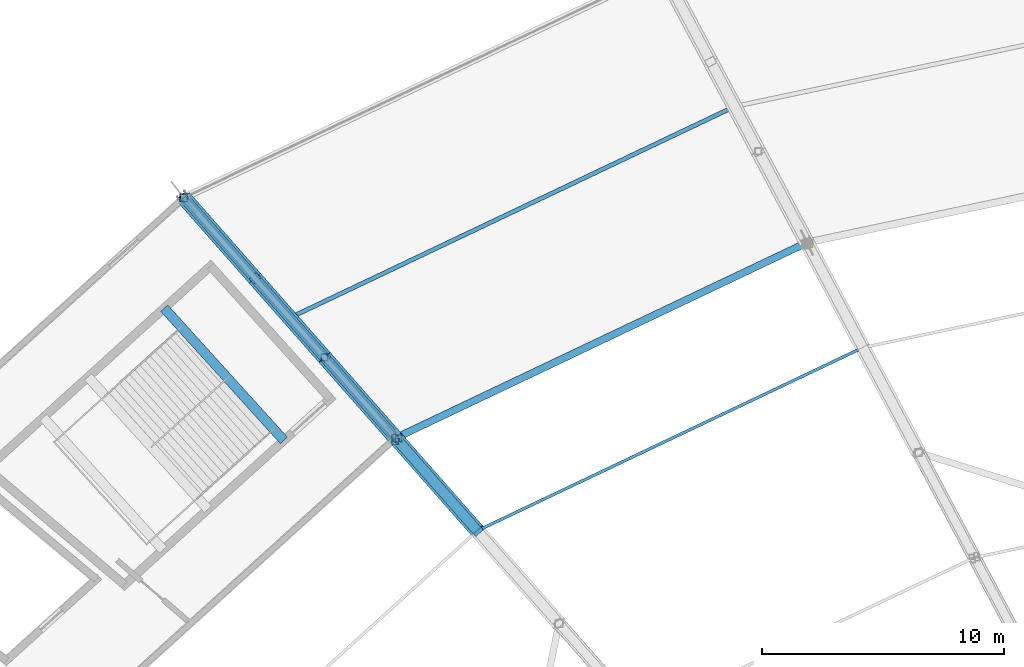
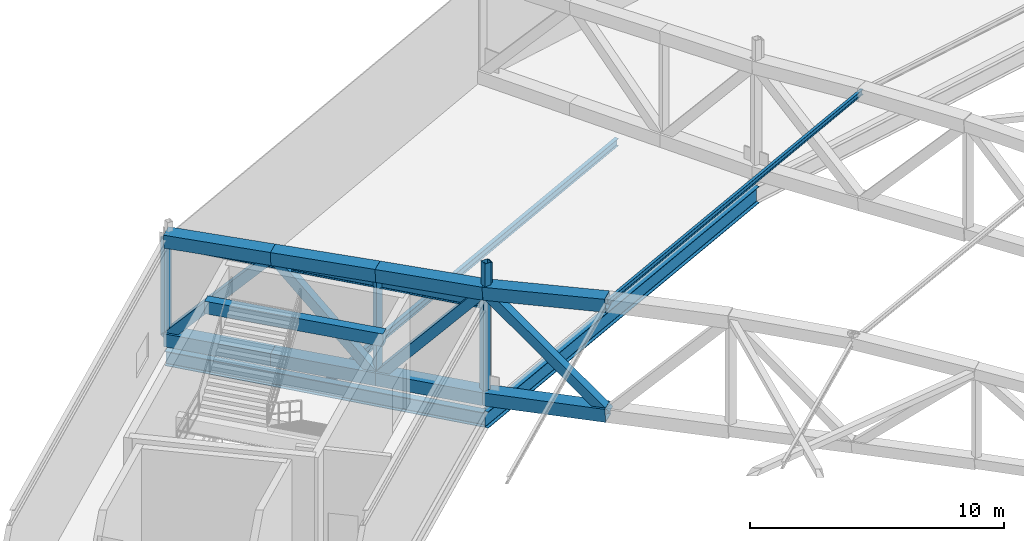
# One storey, part 70 of 162: 18 members, 5 beams.
"""IFC4 building model written with IfcOpenShell, lengths in metres."""

from ifc_helpers import new_model, si_unit, direction, frame, origin, origin_2d, place, context, subcontext, project, spatial, rectangle, hollow_rectangle, i_section, extrude, material, material_profile, profile_set, type_object, element, save


model = new_model("IFC4")

# Units and contexts
model_context = context("Model", 3, precision=1e-05, world=origin(), true_north=direction((0.0, 1.0)))
body_context = subcontext(model_context, "Body", "Model", "MODEL_VIEW")
ifc_project = project(units=[si_unit("LENGTHUNIT", "METRE"), si_unit("AREAUNIT", "SQUARE_METRE"), si_unit("VOLUMEUNIT", "CUBIC_METRE"), si_unit("PLANEANGLEUNIT", "RADIAN"), si_unit("MASSUNIT", "GRAM", prefix="KILO")], contexts=[model_context])

# Site, building, storey
site_placement = place(None, origin())
site = spatial("IfcSite", under=ifc_project, at=site_placement, CompositionType="ELEMENT")
building_placement = place(site_placement, origin())
building = spatial("IfcBuilding", under=site, at=building_placement, Name="Kazemori Nagisa Stadium", CompositionType="ELEMENT")
storey_placement = place(building_placement, frame((0.0, 0.0, 36.719970703125)))
storey = spatial("IfcBuildingStorey", under=building, at=storey_placement, Name="RF", CompositionType="ELEMENT", Elevation=36.719970703125)

# Beams
ifc_material_1 = material(Name="Steel SN490B", Category="steel")
ifc_material_profile_1 = material_profile(ifc_material_1, i_section(OverallWidth=0.199951171875, OverallDepth=0.5, WebThickness=0.010009765625, FlangeThickness=0.01611328125, FilletRadius=0.012939453125, at=origin_2d()), Name="H-500x200x10x16")
ifc_profile_set_1 = profile_set([ifc_material_profile_1], Name="Steel SN490B")
beam_type_1 = type_object("IfcBeamType", Name="Beam_BG-H500", PredefinedType="BEAM", material=ifc_profile_set_1)
beam_1_placement = place(storey_placement, frame((69.165771484375, 163.11083984375, 4.93994140625), z_axis=(-0.661019680997, 0.750368563664, 0.0), x_axis=(-0.750368563664, -0.661019680997, 0.0)))
element("IfcBeam", 1, at=beam_1_placement, inside=storey, type_object=beam_type_1, Name="Headhouse roof beam BG-H500 B11-radL", PredefinedType="BEAM", context=body_context, shape_type="SweptSolid", body=[
    extrude(i_section(OverallWidth=0.199951171875, OverallDepth=0.5, WebThickness=0.010009765625, FlangeThickness=0.01611328125, FilletRadius=0.012939453125, at=origin_2d()), origin(), (0.0, 0.0, 1.0), 13.2578125),
])
ifc_material_profile_2 = material_profile(ifc_material_1, i_section(OverallWidth=0.300048828125, OverallDepth=0.699951171875, WebThickness=0.012939453125, FlangeThickness=0.02392578125, FilletRadius=0.01806640625, at=origin_2d()), Name="H-700x300x13x24")
ifc_profile_set_2 = profile_set([ifc_material_profile_2], Name="Steel SN490B")
beam_type_2 = type_object("IfcBeamType", Name="Beam_BG-H700", PredefinedType="BEAM", material=ifc_profile_set_2)
beam_2_placement = place(storey_placement, frame((69.165771484375, 163.11083984375, -0.6298828125), z_axis=(-0.661019680997, 0.750368563664, 0.0), x_axis=(-0.750368563664, -0.661019680997, 0.0)))
element("IfcBeam", 2, at=beam_2_placement, inside=storey, type_object=beam_type_2, Name="Radial girder BG-H700 RF R2-R3-11", PredefinedType="BEAM", context=body_context, shape_type="SweptSolid", body=[
    extrude(i_section(OverallWidth=0.300048828125, OverallDepth=0.699951171875, WebThickness=0.012939453125, FlangeThickness=0.02392578125, FilletRadius=0.01806640625, at=origin_2d()), origin(), (0.0, 0.0, 1.0), 13.2578125),
])
ifc_material_profile_3 = material_profile(ifc_material_1, i_section(OverallWidth=0.300048828125, OverallDepth=0.800048828125, WebThickness=0.013916015625, FlangeThickness=0.02587890625, FilletRadius=0.01806640625, at=origin_2d()), Name="H-800x300x14x26")
ifc_profile_set_3 = profile_set([ifc_material_profile_3], Name="Steel SN490B")
beam_type_3 = type_object("IfcBeamType", Name="Beam_BG-H800", PredefinedType="BEAM", material=ifc_profile_set_3)
beam_3_placement = place(storey_placement, frame((86.18798828125, 171.19921875, -0.679931640625), z_axis=(-0.90321938295, -0.42917915404, 0.0), x_axis=(0.42917915404, -0.90321938295, 0.0)))
element("IfcBeam", 3, at=beam_3_placement, inside=storey, type_object=beam_type_3, Name="Ring girder BG-H800 RF R2-10", PredefinedType="BEAM", context=body_context, shape_type="SweptSolid", body=[
    extrude(i_section(OverallWidth=0.300048828125, OverallDepth=0.800048828125, WebThickness=0.013916015625, FlangeThickness=0.02587890625, FilletRadius=0.01806640625, at=origin_2d()), origin(), (0.0, 0.0, 1.0), 18.84619140625),
])
ifc_material_2 = material(Name="Concrete C40/50 (Fc42)", Category="concrete")
ifc_material_profile_4 = material_profile(ifc_material_2, rectangle(XDim=0.39990234375, YDim=0.60009765625, at=origin_2d()), Name="RC-BM-400x600")
ifc_profile_set_4 = profile_set([ifc_material_profile_4], Name="Concrete C40/50 (Fc42)")
beam_type_4 = type_object("IfcBeamType", Name="Beam_BG-LND400X600", PredefinedType="BEAM", material=ifc_profile_set_4)
beam_4_placement = place(storey_placement, frame((64.543212890625, 163.01318359375, 4.919921875), z_axis=(-0.671113236271, 0.74135485707, 0.0), x_axis=(-0.74135485707, -0.671113236271, 0.0)))
element("IfcBeam", 4, at=beam_4_placement, inside=storey, type_object=beam_type_4, Name="Core stair arrival header girder ST02-RF", PredefinedType="BEAM", context=body_context, shape_type="SweptSolid", body=[
    extrude(rectangle(XDim=0.39990234375, YDim=0.60009765625, at=origin_2d()), origin(), (0.0, 0.0, 1.0), 7.385986328125),
])
ifc_material_profile_5 = material_profile(ifc_material_1, i_section(OverallWidth=0.175048828125, OverallDepth=0.35009765625, WebThickness=0.007080078125, FlangeThickness=0.010986328125, FilletRadius=0.012939453125, at=origin_2d()), Name="H-350x175x7x11")
ifc_profile_set_5 = profile_set([ifc_material_profile_5], Name="Steel SN490B")
beam_type_5 = type_object("IfcBeamType", Name="Beam_BJ-H350", PredefinedType="JOIST", material=ifc_profile_set_5)
beam_5_placement = place(storey_placement, frame((83.060546875, 176.76953125, -0.455078125), z_axis=(-0.90321332486, -0.429191903228, 0.0), x_axis=(0.429191903228, -0.90321332486, 0.0)))
element("IfcBeam", 5, at=beam_5_placement, inside=storey, type_object=beam_type_5, Name="Outer bay joist BJ-H350 RF B10", PredefinedType="JOIST", context=body_context, shape_type="SweptSolid", body=[
    extrude(i_section(OverallWidth=0.175048828125, OverallDepth=0.35009765625, WebThickness=0.007080078125, FlangeThickness=0.010986328125, FilletRadius=0.012939453125, at=origin_2d()), origin(), (0.0, 0.0, 1.0), 20.09033203125),
])

# Members
ifc_material_3 = material(Name="Steel STKR490", Category="steel")
ifc_material_profile_6 = material_profile(ifc_material_3, hollow_rectangle(XDim=0.280029296875, YDim=0.280029296875, WallThickness=0.010009765625, at=origin_2d()), Name="SHS-280x280x10")
ifc_profile_set_6 = profile_set([ifc_material_profile_6], Name="Steel STKR490")
member_type_1 = type_object("IfcMemberType", Name="Member_ST-SHS280", PredefinedType="STUD", material=ifc_profile_set_6)
member_1_placement = place(storey_placement, frame((69.2841796875, 163.09130859375, 5.56005859375), z_axis=(0.0, 0.0, 1.0), x_axis=(1.0, 0.0, 0.0)))
element("IfcMember", 6, at=member_1_placement, inside=storey, type_object=member_type_1, Name="Canopy bearing stool B10-mid-2", PredefinedType="STUD", context=body_context, shape_type="SweptSolid", body=[
    extrude(hollow_rectangle(XDim=0.280029296875, YDim=0.280029296875, WallThickness=0.010009765625, at=origin_2d()), origin(), (0.0, 0.0, 1.0), 1.31201171875),
])
member_2_placement = place(storey_placement, frame((69.154052734375, 162.9912109375, 5.56005859375), z_axis=(0.0, 0.0, 1.0), x_axis=(1.0, 0.0, 0.0)))
element("IfcMember", 7, at=member_2_placement, inside=storey, type_object=member_type_1, Name="Canopy bearing stool B11-mid-1", PredefinedType="STUD", context=body_context, shape_type="SweptSolid", body=[
    extrude(hollow_rectangle(XDim=0.280029296875, YDim=0.280029296875, WallThickness=0.010009765625, at=origin_2d()), origin(), (0.0, 0.0, 1.0), 1.427001953125),
])
ifc_material_profile_7 = material_profile(ifc_material_3, hollow_rectangle(XDim=0.419921875, YDim=0.419921875, WallThickness=0.01611328125, at=origin_2d()), Name="SHS-420x420x16")
ifc_profile_set_7 = profile_set([ifc_material_profile_7], Name="Steel STKR490")
member_type_2 = type_object("IfcMemberType", Name="Member_TB-SHS420", PredefinedType="BRACE", material=ifc_profile_set_7)
member_3_placement = place(storey_placement, frame((60.402099609375, 173.05908203125, 0.360107421875), z_axis=(0.444455255531, -0.50453471875, 0.740205541324), x_axis=(0.750370654853, 0.661017307137, 0.0)))
element("IfcMember", 8, at=member_3_placement, inside=storey, type_object=member_type_2, Name="Roof space truss diagonal RT-11-1", PredefinedType="BRACE", context=body_context, shape_type="SweptSolid", body=[
    extrude(hollow_rectangle(XDim=0.419921875, YDim=0.419921875, WallThickness=0.01611328125, at=origin_2d()), origin(), (0.0, 0.0, 1.0), 6.61962890625),
])
member_4_placement = place(storey_placement, frame((63.34423828125, 169.71923828125, 5.260009765625), z_axis=(0.443198776891, -0.503136206867, -0.741908890297), x_axis=(0.750388778691, 0.660996732832, 0.0)))
element("IfcMember", 9, at=member_4_placement, inside=storey, type_object=member_type_2, Name="Roof space truss diagonal RT-11-2", PredefinedType="BRACE", context=body_context, shape_type="SweptSolid", body=[
    extrude(hollow_rectangle(XDim=0.419921875, YDim=0.419921875, WallThickness=0.01611328125, at=origin_2d()), origin(), (0.0, 0.0, 1.0), 6.496826171875),
])
member_5_placement = place(storey_placement, frame((66.2236328125, 166.450439453125, 0.43994140625), z_axis=(0.43367823745, -0.492264924909, 0.754717450485), x_axis=(0.750346686278, 0.661044514682, 0.0)))
element("IfcMember", 10, at=member_5_placement, inside=storey, type_object=member_type_2, Name="Roof space truss diagonal RT-11-3", PredefinedType="BRACE", context=body_context, shape_type="SweptSolid", body=[
    extrude(hollow_rectangle(XDim=0.419921875, YDim=0.419921875, WallThickness=0.01611328125, at=origin_2d()), origin(), (0.0, 0.0, 1.0), 6.7841796875),
])
member_6_placement = place(storey_placement, frame((69.165771484375, 163.11083984375, 5.56005859375), z_axis=(0.484885580838, -0.550442839781, -0.679631262987), x_axis=(0.750378163683, 0.661008783201, 0.0)))
element("IfcMember", 11, at=member_6_placement, inside=storey, type_object=member_type_2, Name="Roof space truss diagonal RT-11-4", PredefinedType="BRACE", context=body_context, shape_type="SweptSolid", body=[
    extrude(hollow_rectangle(XDim=0.419921875, YDim=0.419921875, WallThickness=0.01611328125, at=origin_2d()), origin(), (0.0, 0.0, 1.0), 6.971435546875),
])
ifc_material_profile_8 = material_profile(ifc_material_3, hollow_rectangle(XDim=0.6201171875, YDim=0.6201171875, WallThickness=0.02197265625, at=origin_2d()), Name="SHS-620x620x22")
ifc_profile_set_8 = profile_set([ifc_material_profile_8], Name="Steel STKR490")
member_type_3 = type_object("IfcMemberType", Name="Member_TC-SHS620", PredefinedType="CHORD", material=ifc_profile_set_8)
member_7_placement = place(storey_placement, frame((60.402099609375, 173.05908203125, 5.10009765625), z_axis=(0.660591096065, -0.749886830484, 0.03590466915), x_axis=(0.750370654853, 0.661017307137, 0.0)))
element("IfcMember", 12, at=member_7_placement, inside=storey, type_object=member_type_3, Name="Roof space truss top chord RT-11-1", PredefinedType="CHORD", context=body_context, shape_type="SweptSolid", body=[
    extrude(hollow_rectangle(XDim=0.6201171875, YDim=0.6201171875, WallThickness=0.02197265625, at=origin_2d()), origin(), (0.0, 0.0, 1.0), 4.453857421875),
])
member_8_placement = place(storey_placement, frame((60.402099609375, 173.05908203125, 0.360107421875), z_axis=(0.660990563304, -0.750340295908, 0.008995307641), x_axis=(0.750370654853, 0.661017307137, 0.0)))
element("IfcMember", 13, at=member_8_placement, inside=storey, type_object=member_type_3, Name="Roof space truss bottom chord RT-11-1", PredefinedType="CHORD", context=body_context, shape_type="SweptSolid", body=[
    extrude(hollow_rectangle(XDim=0.6201171875, YDim=0.6201171875, WallThickness=0.02197265625, at=origin_2d()), origin(), (0.0, 0.0, 1.0), 4.451171875),
])
member_9_placement = place(storey_placement, frame((63.34423828125, 169.71923828125, 5.260009765625), z_axis=(0.660551804944, -0.749883679532, 0.036684876398), x_axis=(0.750388778691, 0.660996732832, 0.0)))
element("IfcMember", 14, at=member_9_placement, inside=storey, type_object=member_type_3, Name="Roof space truss top chord RT-11-2", PredefinedType="CHORD", context=body_context, shape_type="SweptSolid", body=[
    extrude(hollow_rectangle(XDim=0.6201171875, YDim=0.6201171875, WallThickness=0.02197265625, at=origin_2d()), origin(), (0.0, 0.0, 1.0), 4.359130859375),
])
member_10_placement = place(storey_placement, frame((63.34423828125, 169.71923828125, 0.400146484375), z_axis=(0.660969152866, -0.750357468859, 0.009134981509), x_axis=(0.750388778691, 0.660996732832, 0.0)))
element("IfcMember", 15, at=member_10_placement, inside=storey, type_object=member_type_3, Name="Roof space truss bottom chord RT-11-2", PredefinedType="CHORD", context=body_context, shape_type="SweptSolid", body=[
    extrude(hollow_rectangle(XDim=0.6201171875, YDim=0.6201171875, WallThickness=0.02197265625, at=origin_2d()), origin(), (0.0, 0.0, 1.0), 4.356201171875),
])
member_11_placement = place(storey_placement, frame((66.2236328125, 166.450439453125, 5.419921875), z_axis=(0.660717085813, -0.749975024217, 0.031470550764), x_axis=(0.750346686278, 0.661044514682, 0.0)))
element("IfcMember", 16, at=member_11_placement, inside=storey, type_object=member_type_3, Name="Roof space truss top chord RT-11-3", PredefinedType="CHORD", context=body_context, shape_type="SweptSolid", body=[
    extrude(hollow_rectangle(XDim=0.6201171875, YDim=0.6201171875, WallThickness=0.02197265625, at=origin_2d()), origin(), (0.0, 0.0, 1.0), 4.452880859375),
])
member_12_placement = place(storey_placement, frame((66.2236328125, 166.450439453125, 0.43994140625), z_axis=(0.661017767546, -0.750316325804, 0.008995677859), x_axis=(0.750346686278, 0.661044514682, 0.0)))
element("IfcMember", 17, at=member_12_placement, inside=storey, type_object=member_type_3, Name="Roof space truss bottom chord RT-11-3", PredefinedType="CHORD", context=body_context, shape_type="SweptSolid", body=[
    extrude(hollow_rectangle(XDim=0.6201171875, YDim=0.6201171875, WallThickness=0.02197265625, at=origin_2d()), origin(), (0.0, 0.0, 1.0), 4.450927734375),
])
member_13_placement = place(storey_placement, frame((69.165771484375, 163.11083984375, 5.56005859375), z_axis=(0.657124132228, -0.745968302063, 0.10825510224), x_axis=(0.750378163683, 0.661008783201, 0.0)))
element("IfcMember", 18, at=member_13_placement, inside=storey, type_object=member_type_3, Name="Roof space truss top chord RT-11-4", PredefinedType="CHORD", context=body_context, shape_type="SweptSolid", body=[
    extrude(hollow_rectangle(XDim=0.6201171875, YDim=0.6201171875, WallThickness=0.02197265625, at=origin_2d()), origin(), (0.0, 0.0, 1.0), 5.144287109375),
])
member_14_placement = place(storey_placement, frame((69.165771484375, 163.11083984375, 0.47998046875), z_axis=(0.659535232118, -0.74870538628, 0.066734714733), x_axis=(0.750378163683, 0.661008783201, 0.0)))
element("IfcMember", 19, at=member_14_placement, inside=storey, type_object=member_type_3, Name="Roof space truss bottom chord RT-11-4", PredefinedType="CHORD", context=body_context, shape_type="SweptSolid", body=[
    extrude(hollow_rectangle(XDim=0.6201171875, YDim=0.6201171875, WallThickness=0.02197265625, at=origin_2d()), origin(), (0.0, 0.0, 1.0), 5.12548828125),
])
ifc_material_profile_9 = material_profile(ifc_material_1, i_section(OverallWidth=0.125, OverallDepth=0.25, WebThickness=0.006103515625, FlangeThickness=0.009033203125, FilletRadius=0.008056640625, at=origin_2d()), Name="H-250x125x6x9")
ifc_profile_set_9 = profile_set([ifc_material_profile_9], Name="Steel SN490B")
member_type_4 = type_object("IfcMemberType", Name="Member_TP-H250", PredefinedType="PURLIN", material=ifc_profile_set_9)
member_15_placement = place(storey_placement, frame((88.49951171875, 166.854248046875, 6.06005859375), z_axis=(-0.90320785751, -0.429191325787, 0.003220559045), x_axis=(0.429193551591, -0.903212541583, 0.0)))
element("IfcMember", 20, at=member_15_placement, inside=storey, type_object=member_type_4, Name="Roof purlin TP-H250 B10-P4", PredefinedType="PURLIN", context=body_context, shape_type="SweptSolid", body=[
    extrude(i_section(OverallWidth=0.125, OverallDepth=0.25, WebThickness=0.006103515625, FlangeThickness=0.009033203125, FilletRadius=0.008056640625, at=origin_2d()), origin(), (0.0, 0.0, 1.0), 17.6630859375),
])
ifc_material_profile_10 = material_profile(ifc_material_3, hollow_rectangle(XDim=0.280029296875, YDim=0.280029296875, WallThickness=0.010009765625, at=origin_2d()), Name="SHS-280x280x10")
ifc_profile_set_10 = profile_set([ifc_material_profile_10], Name="Steel STKR490")
member_type_5 = type_object("IfcMemberType", Name="Member_TS-SHS280", PredefinedType="STRUT", material=ifc_profile_set_10)
member_16_placement = place(storey_placement, frame((66.2236328125, 166.450439453125, 0.43994140625), z_axis=(0.0, 0.0, 1.0), x_axis=(1.0, 0.0, 0.0)))
element("IfcMember", 21, at=member_16_placement, inside=storey, type_object=member_type_5, Name="Roof space truss strut RT-11-3", PredefinedType="STRUT", context=body_context, shape_type="SweptSolid", body=[
    extrude(hollow_rectangle(XDim=0.280029296875, YDim=0.280029296875, WallThickness=0.010009765625, at=origin_2d()), origin(), (0.0, 0.0, 1.0), 4.97998046875),
])
ifc_material_profile_11 = material_profile(ifc_material_3, hollow_rectangle(XDim=0.320068359375, YDim=0.320068359375, WallThickness=0.011962890625, at=origin_2d()), Name="SHS-320x320x12")
ifc_profile_set_11 = profile_set([ifc_material_profile_11], Name="Steel STKR490")
member_type_6 = type_object("IfcMemberType", Name="Member_TS-SHS320", PredefinedType="STRUT", material=ifc_profile_set_11)
member_17_placement = place(storey_placement, frame((60.402099609375, 173.05908203125, 0.360107421875), z_axis=(0.0, 0.0, 1.0), x_axis=(1.0, 0.0, 0.0)))
element("IfcMember", 22, at=member_17_placement, inside=storey, type_object=member_type_6, Name="Roof space truss strut RT-11-1", PredefinedType="STRUT", context=body_context, shape_type="SweptSolid", body=[
    extrude(hollow_rectangle(XDim=0.320068359375, YDim=0.320068359375, WallThickness=0.011962890625, at=origin_2d()), origin(), (0.0, 0.0, 1.0), 4.739990234375),
])
member_18_placement = place(storey_placement, frame((69.165771484375, 163.11083984375, 0.47998046875), z_axis=(0.0, 0.0, 1.0), x_axis=(1.0, 0.0, 0.0)))
element("IfcMember", 23, at=member_18_placement, inside=storey, type_object=member_type_6, Name="Roof space truss strut RT-11-4", PredefinedType="STRUT", context=body_context, shape_type="SweptSolid", body=[
    extrude(hollow_rectangle(XDim=0.320068359375, YDim=0.320068359375, WallThickness=0.011962890625, at=origin_2d()), origin(), (0.0, 0.0, 1.0), 5.080078125),
])

save(model, "model.ifc")
